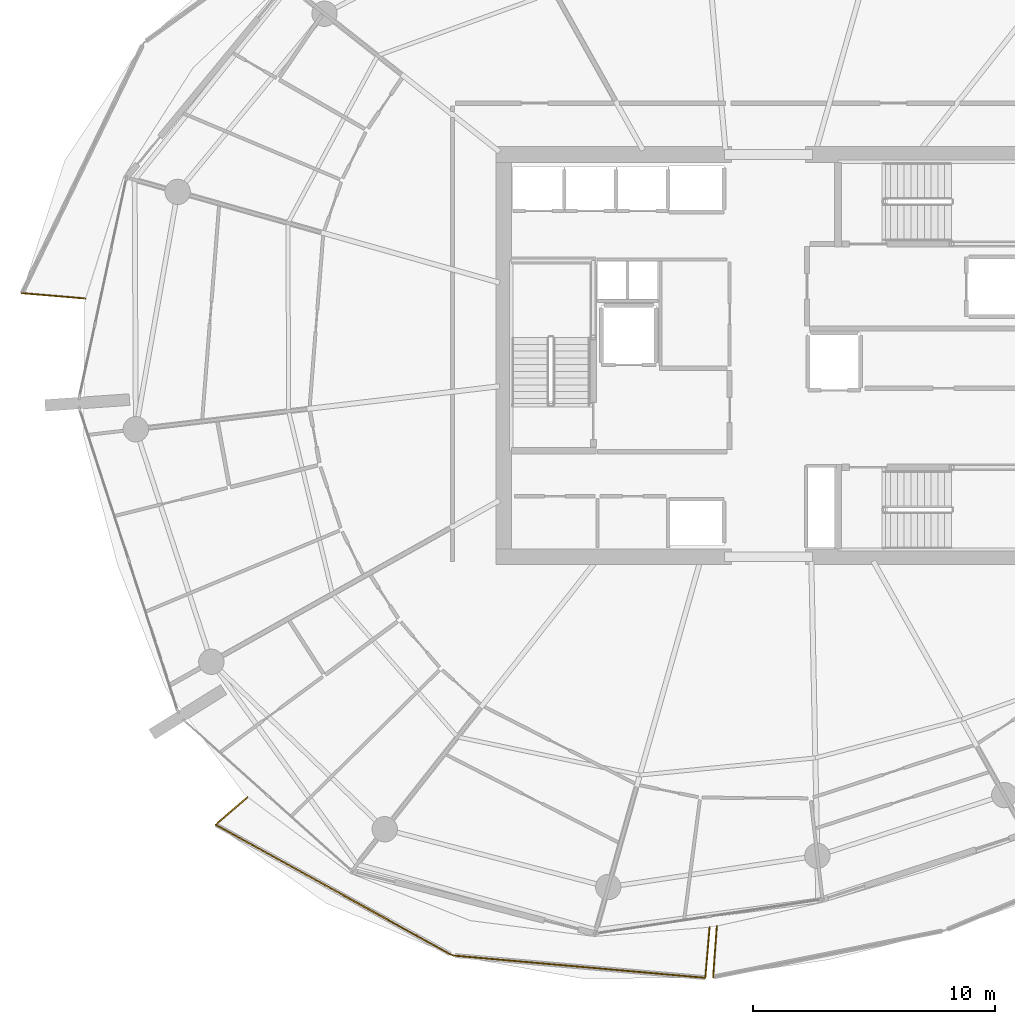
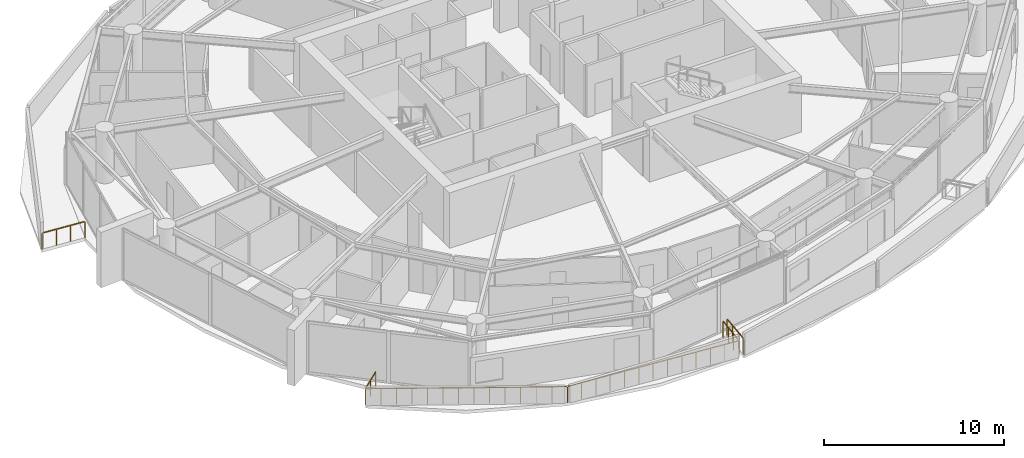
# One storey, part 17 of 21: 6 railings.
"""IFC4 building model written with IfcOpenShell, lengths in metres."""

from ifc_helpers import new_model, si_unit, direction, frame, origin, origin_2d, place, context, subcontext, project, spatial, rectangle, extrude, material, type_object, element, save


model = new_model("IFC4")

# Units and contexts
model_context = context("Model", 3, precision=1e-05, world=origin(), true_north=direction((0.0, 1.0)))
body_context = subcontext(model_context, "Body", "Model", "MODEL_VIEW")
ifc_project = project(units=[si_unit("LENGTHUNIT", "METRE"), si_unit("AREAUNIT", "SQUARE_METRE"), si_unit("VOLUMEUNIT", "CUBIC_METRE"), si_unit("PLANEANGLEUNIT", "RADIAN"), si_unit("MASSUNIT", "GRAM", prefix="KILO")], contexts=[model_context])

# Site, building, storey
site_placement = place(None, origin())
site = spatial("IfcSite", under=ifc_project, at=site_placement, CompositionType="ELEMENT")
building_placement = place(site_placement, origin())
building = spatial("IfcBuilding", under=site, at=building_placement, Name="Kazma Halo Residences", CompositionType="ELEMENT")
storey_placement = place(building_placement, frame((0.0, 0.0, 195.300048828125)))
storey = spatial("IfcBuildingStorey", under=building, at=storey_placement, Name="L49", CompositionType="ELEMENT", Elevation=195.300048828125)

# Railings
ifc_material = material(Name="Aluminium AW-6063 T6 Brushed Cap Rail", Category="aluminium")
railing_type = type_object("IfcRailingType", Name="RLG-BAL-CAP-1120", PredefinedType="BALUSTRADE", material=ifc_material)
railing_1_placement = place(storey_placement, frame((17.536376953125, 44.5849609375, 0.0)))
element("IfcRailing", 1, at=railing_1_placement, inside=storey, type_object=railing_type, Name="L49 NW wave balcony guard 4", PredefinedType="BALUSTRADE", context=body_context, shape_type="SweptSolid", body=[
    extrude(rectangle(XDim=0.050048828125, YDim=0.050048828125, at=origin_2d()), frame((0.04248046875, -0.003662109375, 1.09521484375), z_axis=(0.996418270256, -0.084561401951, 0.0), x_axis=(0.084561401951, 0.996418270256, 0.0)), (0.0, 0.0, 1.0), 2.5537109375),
    extrude(rectangle(XDim=0.0400390625, YDim=0.0400390625, at=origin_2d()), origin(), (0.0, 0.0, 1.0), 1.05810546875),
    extrude(rectangle(XDim=0.0400390625, YDim=0.0400390625, at=origin_2d()), frame((0.87646484375, -0.074462890625, 0.0)), (0.0, 0.0, 1.0), 1.05810546875),
    extrude(rectangle(XDim=0.0400390625, YDim=0.0400390625, at=origin_2d()), frame((1.7529296875, -0.148681640625, 0.0)), (0.0, 0.0, 1.0), 1.05810546875),
    extrude(rectangle(XDim=0.0400390625, YDim=0.0400390625, at=origin_2d()), frame((2.62939453125, -0.22314453125, 0.0)), (0.0, 0.0, 1.0), 1.05810546875),
])
railing_2_placement = place(storey_placement, frame((26.869873046875, 23.728759765625, 0.0)))
element("IfcRailing", 2, at=railing_2_placement, inside=storey, type_object=railing_type, Name="L49 SW wave balcony guard 1", PredefinedType="BALUSTRADE", context=body_context, shape_type="SweptSolid", body=[
    extrude(rectangle(XDim=0.050048828125, YDim=0.050048828125, at=origin_2d()), frame((-0.0322265625, -0.02783203125, 1.09521484375), z_axis=(-0.756404341656, -0.654104328011, 0.0), x_axis=(0.654104328011, -0.756404341656, 0.0)), (0.0, 0.0, 1.0), 1.659423828125),
    extrude(rectangle(XDim=0.0400390625, YDim=0.0400390625, at=origin_2d()), origin(), (0.0, 0.0, 1.0), 1.05810546875),
    extrude(rectangle(XDim=0.0400390625, YDim=0.0400390625, at=origin_2d()), frame((-0.65966796875, -0.570556640625, 0.0)), (0.0, 0.0, 1.0), 1.05810546875),
    extrude(rectangle(XDim=0.0400390625, YDim=0.0400390625, at=origin_2d()), frame((-1.319580078125, -1.14111328125, 0.0)), (0.0, 0.0, 1.0), 1.05810546875),
])
railing_3_placement = place(storey_placement, frame((25.55029296875, 22.587646484375, 0.0)))
element("IfcRailing", 3, at=railing_3_placement, inside=storey, type_object=railing_type, Name="L49 SW wave balcony guard 2", PredefinedType="BALUSTRADE", context=body_context, shape_type="SweptSolid", body=[
    extrude(rectangle(XDim=0.050048828125, YDim=0.050048828125, at=origin_2d()), frame((0.037353515625, -0.0205078125, 1.09521484375), z_axis=(0.87545838849, -0.483293502979, 0.0), x_axis=(0.483293502979, 0.87545838849, 0.0)), (0.0, 0.0, 1.0), 11.11083984375),
    extrude(rectangle(XDim=0.0400390625, YDim=0.0400390625, at=origin_2d()), origin(), (0.0, 0.0, 1.0), 1.05810546875),
    extrude(rectangle(XDim=0.0400390625, YDim=0.0400390625, at=origin_2d()), frame((0.75390625, -0.416259765625, 0.0)), (0.0, 0.0, 1.0), 1.05810546875),
    extrude(rectangle(XDim=0.0400390625, YDim=0.0400390625, at=origin_2d()), frame((1.5078125, -0.83251953125, 0.0)), (0.0, 0.0, 1.0), 1.05810546875),
    extrude(rectangle(XDim=0.0400390625, YDim=0.0400390625, at=origin_2d()), frame((2.261962890625, -1.248779296875, 0.0)), (0.0, 0.0, 1.0), 1.05810546875),
    extrude(rectangle(XDim=0.0400390625, YDim=0.0400390625, at=origin_2d()), frame((3.015869140625, -1.664794921875, 0.0)), (0.0, 0.0, 1.0), 1.05810546875),
    extrude(rectangle(XDim=0.0400390625, YDim=0.0400390625, at=origin_2d()), frame((3.769775390625, -2.0810546875, 0.0)), (0.0, 0.0, 1.0), 1.05810546875),
    extrude(rectangle(XDim=0.0400390625, YDim=0.0400390625, at=origin_2d()), frame((4.523681640625, -2.497314453125, 0.0)), (0.0, 0.0, 1.0), 1.05810546875),
    extrude(rectangle(XDim=0.0400390625, YDim=0.0400390625, at=origin_2d()), frame((5.27783203125, -2.91357421875, 0.0)), (0.0, 0.0, 1.0), 1.05810546875),
    extrude(rectangle(XDim=0.0400390625, YDim=0.0400390625, at=origin_2d()), frame((6.03173828125, -3.329833984375, 0.0)), (0.0, 0.0, 1.0), 1.05810546875),
    extrude(rectangle(XDim=0.0400390625, YDim=0.0400390625, at=origin_2d()), frame((6.78564453125, -3.74609375, 0.0)), (0.0, 0.0, 1.0), 1.05810546875),
    extrude(rectangle(XDim=0.0400390625, YDim=0.0400390625, at=origin_2d()), frame((7.53955078125, -4.162109375, 0.0)), (0.0, 0.0, 1.0), 1.05810546875),
    extrude(rectangle(XDim=0.0400390625, YDim=0.0400390625, at=origin_2d()), frame((8.293701171875, -4.578369140625, 0.0)), (0.0, 0.0, 1.0), 1.05810546875),
    extrude(rectangle(XDim=0.0400390625, YDim=0.0400390625, at=origin_2d()), frame((9.047607421875, -4.99462890625, 0.0)), (0.0, 0.0, 1.0), 1.05810546875),
    extrude(rectangle(XDim=0.0400390625, YDim=0.0400390625, at=origin_2d()), frame((9.801513671875, -5.410888671875, 0.0)), (0.0, 0.0, 1.0), 1.05810546875),
])
railing_4_placement = place(storey_placement, frame((35.351806640625, 17.1767578125, 0.0)))
element("IfcRailing", 4, at=railing_4_placement, inside=storey, type_object=railing_type, Name="L49 SW wave balcony guard 3", PredefinedType="BALUSTRADE", context=body_context, shape_type="SweptSolid", body=[
    extrude(rectangle(XDim=0.050048828125, YDim=0.050048828125, at=origin_2d()), frame((0.04248046875, -0.003662109375, 1.09521484375), z_axis=(0.996116791463, -0.088041681974, 0.0), x_axis=(0.088041681974, 0.996116791463, 0.0)), (0.0, 0.0, 1.0), 10.419189453125),
    extrude(rectangle(XDim=0.0400390625, YDim=0.0400390625, at=origin_2d()), origin(), (0.0, 0.0, 1.0), 1.05810546875),
    extrude(rectangle(XDim=0.0400390625, YDim=0.0400390625, at=origin_2d()), frame((0.8720703125, -0.0771484375, 0.0)), (0.0, 0.0, 1.0), 1.05810546875),
    extrude(rectangle(XDim=0.0400390625, YDim=0.0400390625, at=origin_2d()), frame((1.743896484375, -0.154052734375, 0.0)), (0.0, 0.0, 1.0), 1.05810546875),
    extrude(rectangle(XDim=0.0400390625, YDim=0.0400390625, at=origin_2d()), frame((2.61572265625, -0.231201171875, 0.0)), (0.0, 0.0, 1.0), 1.05810546875),
    extrude(rectangle(XDim=0.0400390625, YDim=0.0400390625, at=origin_2d()), frame((3.48779296875, -0.308349609375, 0.0)), (0.0, 0.0, 1.0), 1.05810546875),
    extrude(rectangle(XDim=0.0400390625, YDim=0.0400390625, at=origin_2d()), frame((4.35986328125, -0.38525390625, 0.0)), (0.0, 0.0, 1.0), 1.05810546875),
    extrude(rectangle(XDim=0.0400390625, YDim=0.0400390625, at=origin_2d()), frame((5.231689453125, -0.46240234375, 0.0)), (0.0, 0.0, 1.0), 1.05810546875),
    extrude(rectangle(XDim=0.0400390625, YDim=0.0400390625, at=origin_2d()), frame((6.103515625, -0.53955078125, 0.0)), (0.0, 0.0, 1.0), 1.05810546875),
    extrude(rectangle(XDim=0.0400390625, YDim=0.0400390625, at=origin_2d()), frame((6.9755859375, -0.616455078125, 0.0)), (0.0, 0.0, 1.0), 1.05810546875),
    extrude(rectangle(XDim=0.0400390625, YDim=0.0400390625, at=origin_2d()), frame((7.84765625, -0.693603515625, 0.0)), (0.0, 0.0, 1.0), 1.05810546875),
    extrude(rectangle(XDim=0.0400390625, YDim=0.0400390625, at=origin_2d()), frame((8.719482421875, -0.770751953125, 0.0)), (0.0, 0.0, 1.0), 1.05810546875),
    extrude(rectangle(XDim=0.0400390625, YDim=0.0400390625, at=origin_2d()), frame((9.59130859375, -0.84765625, 0.0)), (0.0, 0.0, 1.0), 1.05810546875),
    extrude(rectangle(XDim=0.0400390625, YDim=0.0400390625, at=origin_2d()), frame((10.46337890625, -0.9248046875, 0.0)), (0.0, 0.0, 1.0), 1.05810546875),
])
railing_5_placement = place(storey_placement, frame((45.815185546875, 16.251953125, 0.0)))
element("IfcRailing", 5, at=railing_5_placement, inside=storey, type_object=railing_type, Name="L49 SW wave balcony guard 4", PredefinedType="BALUSTRADE", context=body_context, shape_type="SweptSolid", body=[
    extrude(rectangle(XDim=0.050048828125, YDim=0.050048828125, at=origin_2d()), frame((0.003662109375, 0.04248046875, 1.09521484375), z_axis=(0.084652453304, 0.99641053896, 0.0), x_axis=(-0.99641053896, 0.084652453304, 0.0)), (0.0, 0.0, 1.0), 2.014404296875),
    extrude(rectangle(XDim=0.0400390625, YDim=0.0400390625, at=origin_2d()), origin(), (0.0, 0.0, 1.0), 1.05810546875),
    extrude(rectangle(XDim=0.0400390625, YDim=0.0400390625, at=origin_2d()), frame((0.059326171875, 0.697265625, 0.0)), (0.0, 0.0, 1.0), 1.05810546875),
    extrude(rectangle(XDim=0.0400390625, YDim=0.0400390625, at=origin_2d()), frame((0.118408203125, 1.394775390625, 0.0)), (0.0, 0.0, 1.0), 1.05810546875),
    extrude(rectangle(XDim=0.0400390625, YDim=0.0400390625, at=origin_2d()), frame((0.177734375, 2.092041015625, 0.0)), (0.0, 0.0, 1.0), 1.05810546875),
])
railing_6_placement = place(storey_placement, frame((46.286865234375, 18.387939453125, 0.0)))
element("IfcRailing", 6, at=railing_6_placement, inside=storey, type_object=railing_type, Name="L49 SSE wave balcony guard 1", PredefinedType="BALUSTRADE", context=body_context, shape_type="SweptSolid", body=[
    extrude(rectangle(XDim=0.050048828125, YDim=0.050048828125, at=origin_2d()), frame((-0.003173828125, -0.04248046875, 1.09521484375), z_axis=(-0.072404117372, -0.997375377572, 0.0), x_axis=(0.997375377572, -0.072404117372, 0.0)), (0.0, 0.0, 1.0), 2.029052734375),
    extrude(rectangle(XDim=0.0400390625, YDim=0.0400390625, at=origin_2d()), origin(), (0.0, 0.0, 1.0), 1.05810546875),
    extrude(rectangle(XDim=0.0400390625, YDim=0.0400390625, at=origin_2d()), frame((-0.051025390625, -0.702880859375, 0.0)), (0.0, 0.0, 1.0), 1.05810546875),
    extrude(rectangle(XDim=0.0400390625, YDim=0.0400390625, at=origin_2d()), frame((-0.10205078125, -1.40576171875, 0.0)), (0.0, 0.0, 1.0), 1.05810546875),
    extrude(rectangle(XDim=0.0400390625, YDim=0.0400390625, at=origin_2d()), frame((-0.153076171875, -2.108642578125, 0.0)), (0.0, 0.0, 1.0), 1.05810546875),
])

save(model, "model.ifc")
